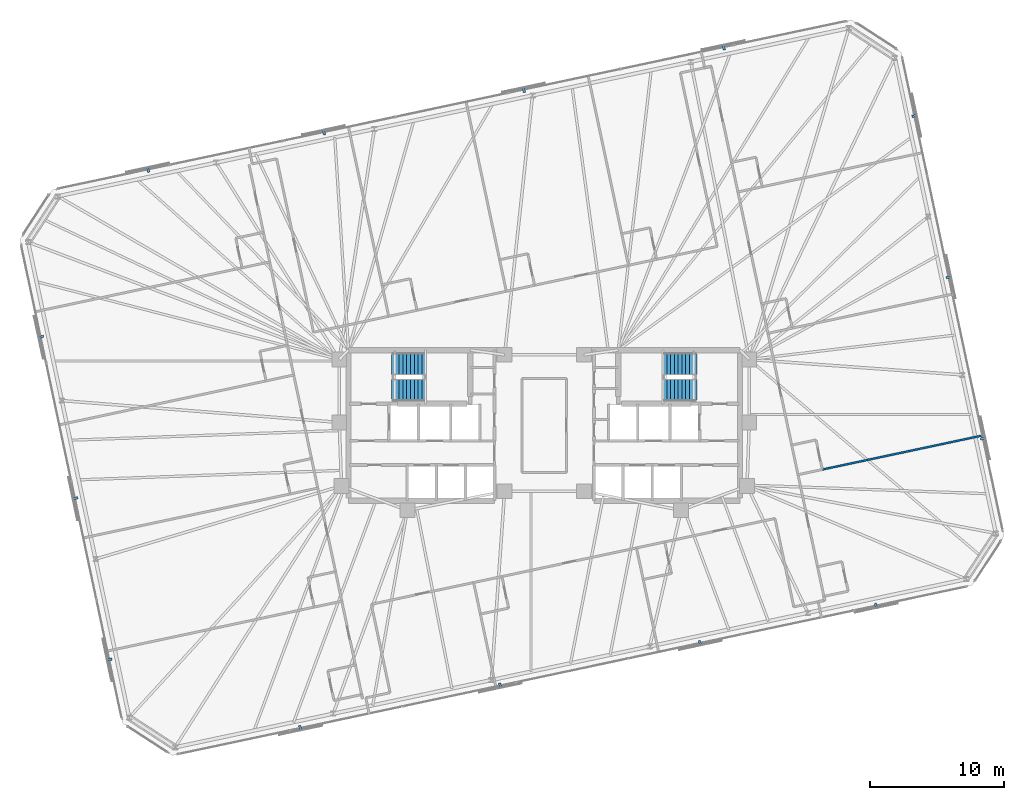
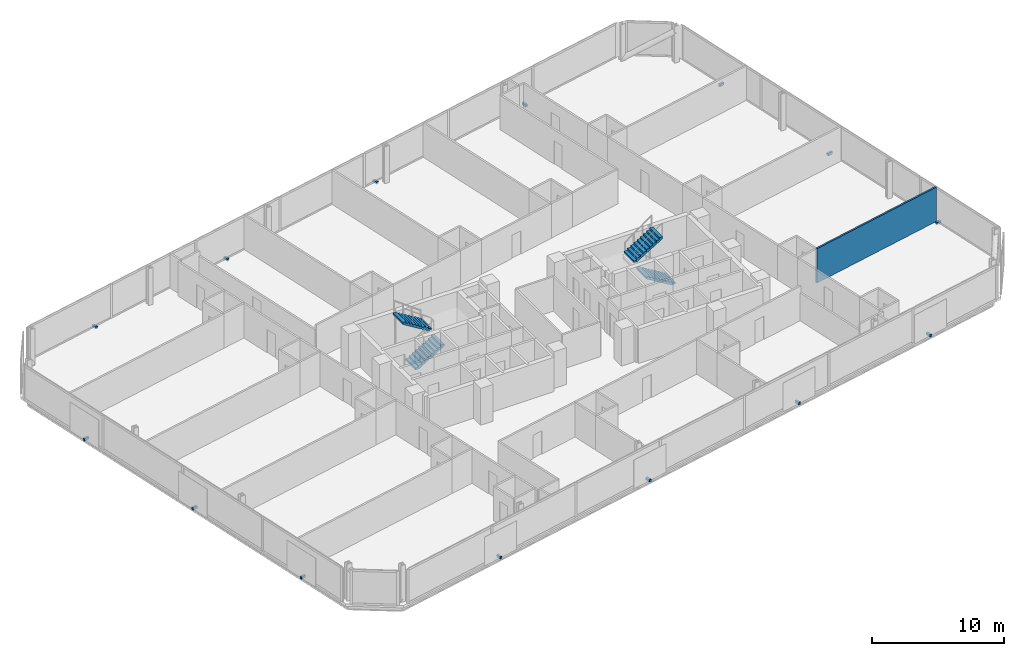
# One storey, part 18 of 19: 14 discrete accessories, 4 stair flights, 1 wall, 2 elements without a shape of their own.
"""IFC4 building model written with IfcOpenShell, lengths in metres."""

from ifc_helpers import new_model, si_unit, direction, frame, frame_2d, origin, origin_2d, place, context, subcontext, project, spatial, polyline, rectangle, outline, extrude, material, layer, layer_set, type_object, element, aggregate, save


model = new_model("IFC4")

# Units and contexts
model_context = context("Model", 3, precision=1e-05, world=origin(), true_north=direction((0.0, 1.0)))
body_context = subcontext(model_context, "Body", "Model", "MODEL_VIEW")
ifc_project = project(units=[si_unit("LENGTHUNIT", "METRE"), si_unit("AREAUNIT", "SQUARE_METRE"), si_unit("VOLUMEUNIT", "CUBIC_METRE"), si_unit("PLANEANGLEUNIT", "RADIAN"), si_unit("MASSUNIT", "GRAM", prefix="KILO")], contexts=[model_context])

# Site, building, storey
site_placement = place(None, origin())
site = spatial("IfcSite", under=ifc_project, at=site_placement, CompositionType="ELEMENT")
building_placement = place(site_placement, origin())
building = spatial("IfcBuilding", under=site, at=building_placement, Name="Menara Jurai Vektor", CompositionType="ELEMENT")
storey_placement = place(building_placement, frame((0.0, 0.0, 161.60009765625)))
storey = spatial("IfcBuildingStorey", under=building, at=storey_placement, Name="L41", CompositionType="ELEMENT", Elevation=161.60009765625)

# Wall
ifc_material_1 = material(Name="Gypsum Fireboard Partition", Category="gypsum")
ifc_layer = layer(ifc_material_1, 0.14990234375)
ifc_layer_set = layer_set([ifc_layer], Name="Gypsum Fireboard Partition")
wall_type = type_object("IfcWallType", Name="INT-WALL-CORR-150", PredefinedType="PARTITIONING", material=ifc_layer_set)
wall_placement = place(storey_placement, frame((20.682373046875, -3.283935546875, 0.0), z_axis=(0.0, 0.0, 1.0), x_axis=(0.97814556055, 0.207921288896, 0.0)))
element("IfcWall", 1, at=wall_placement, inside=storey, type_object=wall_type, Name="Interior Wall IW-150 L41", PredefinedType="PARTITIONING", context=body_context, shape_type="SweptSolid", body=[
    extrude(rectangle(XDim=12.18701171875, YDim=0.14990234375, at=frame_2d((6.093505859375, 0.0))), origin(), (0.0, 0.0, 1.0), 3.1748046875),
])

# Stair, stair flights
ifc_material_2 = material(Name="Concrete C40/50", Category="concrete")
stair_type = type_object("IfcStairType", Name="STAIR-DOGLEG-1500", PredefinedType="HALF_TURN_STAIR", material=ifc_material_2)
stair_1_placement = place(storey_placement, origin())
stair_1 = element("IfcStair", 2, at=stair_1_placement, inside=storey, type_object=stair_type, Name="Protected Exit Stair ST1 L41", PredefinedType="HALF_TURN_STAIR")
stair_flight_type = type_object("IfcStairFlightType", Name="STAIR-FLIGHT-1500", PredefinedType="STRAIGHT", material=ifc_material_2)
stair_flight_1_placement = place(storey_placement, frame((-11.35009765625, 2.64990234375, 0.0), z_axis=(0.0, 0.0, 1.0), x_axis=(1.0, 0.0, 0.0)))
stair_flight_1 = element("IfcStairFlight", 3, at=stair_flight_1_placement, type_object=stair_flight_type, Name="ST1 flight 1", NumberOfRisers=10, NumberOfTreads=9, PredefinedType="STRAIGHT", RiserHeight=0.17, TreadLength=0.28, context=body_context, shape_type="SweptSolid", body=[
    extrude(outline(polyline([(0.0, 0.0), (0.0, 0.169921875), (0.280029296875, 0.169921875), (0.280029296875, 0.340087890625), (0.56005859375, 0.340087890625), (0.56005859375, 0.510009765625), (0.840087890625, 0.510009765625), (0.840087890625, 0.679931640625), (1.1201171875, 0.679931640625), (1.1201171875, 0.85009765625), (1.39990234375, 0.85009765625), (1.39990234375, 1.02001953125), (1.679931640625, 1.02001953125), (1.679931640625, 1.18994140625), (1.9599609375, 1.18994140625), (1.9599609375, 1.360107421875), (2.239990234375, 1.360107421875), (2.239990234375, 1.530029296875), (2.52001953125, 1.530029296875), (2.52001953125, 1.699951171875), (2.52001953125, 1.343017578125), (0.30810546875, 0.0), (0.0, 0.0)])), frame((0.0, 0.75, 0.0), z_axis=(0.0, -1.0, 0.0), x_axis=(1.0, 0.0, 0.0)), (0.0, 0.0, 1.0), 1.5),
])
stair_flight_2_placement = place(storey_placement, frame((-8.830078125, 4.550048828125, 1.699951171875), z_axis=(0.0, 0.0, 1.0), x_axis=(-1.0, 0.0, 0.0)))
stair_flight_2 = element("IfcStairFlight", 4, at=stair_flight_2_placement, type_object=stair_flight_type, Name="ST1 flight 2", NumberOfRisers=10, NumberOfTreads=9, PredefinedType="STRAIGHT", RiserHeight=0.17, TreadLength=0.28, context=body_context, shape_type="SweptSolid", body=[
    extrude(outline(polyline([(0.0, 0.0), (0.0, 0.169921875), (0.280029296875, 0.169921875), (0.280029296875, 0.340087890625), (0.56005859375, 0.340087890625), (0.56005859375, 0.510009765625), (0.840087890625, 0.510009765625), (0.840087890625, 0.679931640625), (1.1201171875, 0.679931640625), (1.1201171875, 0.85009765625), (1.39990234375, 0.85009765625), (1.39990234375, 1.02001953125), (1.679931640625, 1.02001953125), (1.679931640625, 1.18994140625), (1.9599609375, 1.18994140625), (1.9599609375, 1.360107421875), (2.239990234375, 1.360107421875), (2.239990234375, 1.530029296875), (2.52001953125, 1.530029296875), (2.52001953125, 1.699951171875), (2.52001953125, 1.343017578125), (0.30810546875, 0.0), (0.0, 0.0)])), frame((0.0, 0.75, 0.0), z_axis=(0.0, -1.0, 0.0), x_axis=(1.0, 0.0, 0.0)), (0.0, 0.0, 1.0), 1.5),
])
aggregate(stair_1, [stair_flight_1, stair_flight_2])

stair_2_placement = place(storey_placement, origin())
stair_2 = element("IfcStair", 5, at=stair_2_placement, inside=storey, type_object=stair_type, Name="Protected Exit Stair ST2 L41", PredefinedType="HALF_TURN_STAIR")
stair_flight_3_placement = place(storey_placement, frame((11.35009765625, 2.64990234375, 0.0), z_axis=(0.0, 0.0, 1.0), x_axis=(-1.0, 0.0, 0.0)))
stair_flight_3 = element("IfcStairFlight", 6, at=stair_flight_3_placement, type_object=stair_flight_type, Name="ST2 flight 1", NumberOfRisers=10, NumberOfTreads=9, PredefinedType="STRAIGHT", RiserHeight=0.17, TreadLength=0.28, context=body_context, shape_type="SweptSolid", body=[
    extrude(outline(polyline([(0.0, 0.0), (0.0, 0.169921875), (0.280029296875, 0.169921875), (0.280029296875, 0.340087890625), (0.56005859375, 0.340087890625), (0.56005859375, 0.510009765625), (0.840087890625, 0.510009765625), (0.840087890625, 0.679931640625), (1.1201171875, 0.679931640625), (1.1201171875, 0.85009765625), (1.39990234375, 0.85009765625), (1.39990234375, 1.02001953125), (1.679931640625, 1.02001953125), (1.679931640625, 1.18994140625), (1.9599609375, 1.18994140625), (1.9599609375, 1.360107421875), (2.239990234375, 1.360107421875), (2.239990234375, 1.530029296875), (2.52001953125, 1.530029296875), (2.52001953125, 1.699951171875), (2.52001953125, 1.343017578125), (0.30810546875, 0.0), (0.0, 0.0)])), frame((0.0, 0.75, 0.0), z_axis=(0.0, -1.0, 0.0), x_axis=(1.0, 0.0, 0.0)), (0.0, 0.0, 1.0), 1.5),
])
stair_flight_4_placement = place(storey_placement, frame((8.830078125, 4.550048828125, 1.699951171875), z_axis=(0.0, 0.0, 1.0), x_axis=(1.0, 0.0, 0.0)))
stair_flight_4 = element("IfcStairFlight", 7, at=stair_flight_4_placement, type_object=stair_flight_type, Name="ST2 flight 2", NumberOfRisers=10, NumberOfTreads=9, PredefinedType="STRAIGHT", RiserHeight=0.17, TreadLength=0.28, context=body_context, shape_type="SweptSolid", body=[
    extrude(outline(polyline([(0.0, 0.0), (0.0, 0.169921875), (0.280029296875, 0.169921875), (0.280029296875, 0.340087890625), (0.56005859375, 0.340087890625), (0.56005859375, 0.510009765625), (0.840087890625, 0.510009765625), (0.840087890625, 0.679931640625), (1.1201171875, 0.679931640625), (1.1201171875, 0.85009765625), (1.39990234375, 0.85009765625), (1.39990234375, 1.02001953125), (1.679931640625, 1.02001953125), (1.679931640625, 1.18994140625), (1.9599609375, 1.18994140625), (1.9599609375, 1.360107421875), (2.239990234375, 1.360107421875), (2.239990234375, 1.530029296875), (2.52001953125, 1.530029296875), (2.52001953125, 1.699951171875), (2.52001953125, 1.343017578125), (0.30810546875, 0.0), (0.0, 0.0)])), frame((0.0, 0.75, 0.0), z_axis=(0.0, -1.0, 0.0), x_axis=(1.0, 0.0, 0.0)), (0.0, 0.0, 1.0), 1.5),
])
aggregate(stair_2, [stair_flight_3, stair_flight_4])

# Discrete accessories
ifc_material_3 = material(Name="Steel S355", Category="steel")
discrete_accessory_type = type_object("IfcDiscreteAccessoryType", Name="ENV-ACC-BRACKET", PredefinedType="BRACKET", material=ifc_material_3)
for number, where, z_axis, x_axis, name in (
    (8, (-18.148193359375, -22.537841796875, -0.1298828125), (0.0, 0.0, 1.0), (0.978147600734, 0.207911690818, 0.0), "Solar Screen Stand-Off Bracket L41-S01"),
    (9, (-3.2802734375, -19.377685546875, -0.1298828125), (0.0, 0.0, 1.0), (0.978147600734, 0.207911690818, 0.0), "Solar Screen Stand-Off Bracket L41-S02"),
    (10, (11.587646484375, -16.21728515625, -0.1298828125), (0.0, 0.0, 1.0), (0.978147600734, 0.207911690818, 0.0), "Solar Screen Stand-Off Bracket L41-S03"),
    (11, (24.67138671875, -13.436279296875, -0.1298828125), (0.0, 0.0, 1.0), (0.978147600734, 0.207911690818, 0.0), "Solar Screen Stand-Off Bracket L41-S04"),
    (12, (32.660400390625, -0.9716796875, -0.1298828125), (0.0, 0.0, 1.0), (-0.207911690818, 0.978147600734, 0.0), "Solar Screen Stand-Off Bracket L41-S05"),
    (13, (30.10986328125, 11.027099609375, -0.1298828125), (0.0, 0.0, 1.0), (-0.207911690818, 0.978147600734, 0.0), "Solar Screen Stand-Off Bracket L41-S06"),
    (14, (27.5595703125, 23.025634765625, -0.1298828125), (0.0, 0.0, 1.0), (-0.207911690818, 0.978147600734, 0.0), "Solar Screen Stand-Off Bracket L41-S07"),
    (15, (13.34814453125, 28.137939453125, -0.1298828125), (0.0, 0.0, 1.0), (-0.978147600734, -0.207911690818, 0.0), "Solar Screen Stand-Off Bracket L41-S08"),
    (16, (-1.519775390625, 24.977783203125, -0.1298828125), (0.0, 0.0, 1.0), (-0.978147600734, -0.207911690818, 0.0), "Solar Screen Stand-Off Bracket L41-S09"),
    (17, (-16.3876953125, 21.8173828125, -0.1298828125), (0.0, 0.0, 1.0), (-0.978147600734, -0.207911690818, 0.0), "Solar Screen Stand-Off Bracket L41-S10"),
    (18, (-29.47119140625, 19.036376953125, -0.1298828125), (0.0, 0.0, 1.0), (-0.978147600734, -0.207911690818, 0.0), "Solar Screen Stand-Off Bracket L41-S11"),
    (19, (-37.460205078125, 6.571533203125, -0.1298828125), (0.0, 0.0, 1.0), (0.207911690818, -0.978147600734, 0.0), "Solar Screen Stand-Off Bracket L41-S12"),
    (20, (-34.909912109375, -5.427001953125, -0.1298828125), (0.0, 0.0, 1.0), (0.207911690818, -0.978147600734, 0.0), "Solar Screen Stand-Off Bracket L41-S13"),
    (21, (-32.359619140625, -17.425537109375, -0.1298828125), (0.0, 0.0, 1.0), (0.207911690818, -0.978147600734, 0.0), "Solar Screen Stand-Off Bracket L41-S14"),
):
    element("IfcDiscreteAccessory", number, at=place(storey_placement, frame(where, z_axis=z_axis, x_axis=x_axis)), inside=storey, type_object=discrete_accessory_type, Name=name, PredefinedType="BRACKET", context=body_context, shape_type="SweptSolid", body=[
        extrude(rectangle(XDim=0.179931640625, YDim=0.43994140625, at=origin_2d()), origin(), (0.0, 0.0, 1.0), 0.219970703125),
    ])

save(model, "model.ifc")
